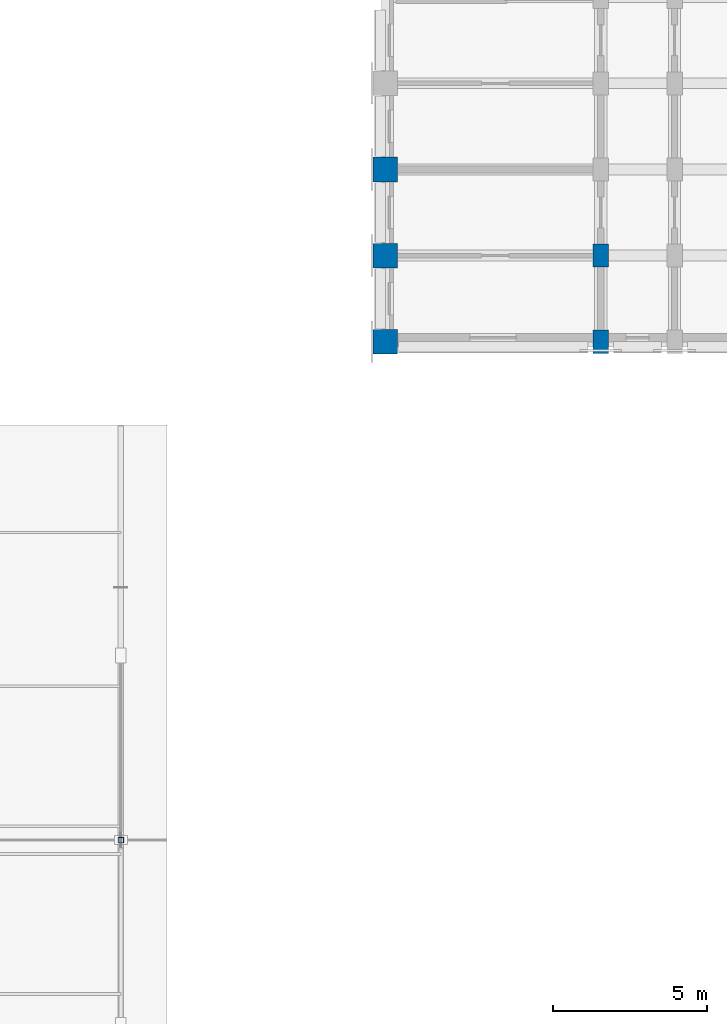
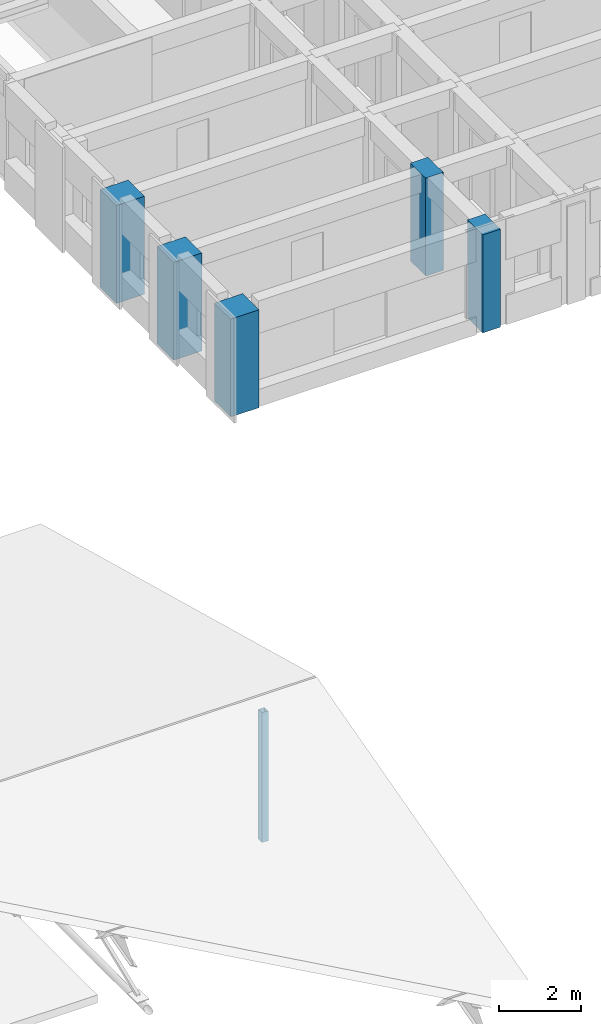
# One storey, part 8 of 76: 6 columns.
"""IFC4 building model written with IfcOpenShell, lengths in metres."""

from ifc_helpers import new_model, si_unit, direction, frame, origin, origin_2d, place, context, subcontext, project, spatial, rectangle, hollow_rectangle, extrude, material, material_profile, profile_set, type_object, element, save


model = new_model("IFC4")

# Units and contexts
model_context = context("Model", 3, precision=1e-05, world=origin(), true_north=direction((0.0, 1.0)))
body_context = subcontext(model_context, "Body", "Model", "MODEL_VIEW")
ifc_project = project(units=[si_unit("LENGTHUNIT", "METRE"), si_unit("AREAUNIT", "SQUARE_METRE"), si_unit("VOLUMEUNIT", "CUBIC_METRE"), si_unit("PLANEANGLEUNIT", "RADIAN"), si_unit("MASSUNIT", "GRAM", prefix="KILO")], contexts=[model_context])

# Site, building, storey
site_placement = place(None, origin())
site = spatial("IfcSite", under=ifc_project, at=site_placement, CompositionType="ELEMENT")
building_placement = place(site_placement, origin())
building = spatial("IfcBuilding", under=site, at=building_placement, Name="Kiranvali Square Residences", CompositionType="ELEMENT")
storey_placement = place(building_placement, frame((0.0, 0.0, 8.699951171875)))
storey = spatial("IfcBuildingStorey", under=building, at=storey_placement, Name="L02", CompositionType="ELEMENT", Elevation=8.699951171875)

# Columns
ifc_material_1 = material(Name="Concrete M45 (45 MPa)", Category="concrete")
ifc_material_profile_1 = material_profile(ifc_material_1, rectangle(XDim=0.5, YDim=0.75, at=origin_2d()), Name="RC 750x500")
ifc_profile_set_1 = profile_set([ifc_material_profile_1], Name="Concrete M45 (45 MPa)")
column_type_1 = type_object("IfcColumnType", Name="COL-M45-750x500", PredefinedType="COLUMN", material=ifc_profile_set_1)
for number, where, z_axis, x_axis, name in (
    (1, (145.60009765625, 71.0, 0.0), (0.0, 0.0, 1.0), (1.0, 0.0, 0.0), "Block B L02 Arm 2 column V4-R1"),
    (2, (145.60009765625, 68.199951171875, 0.0), (0.0, 0.0, 1.0), (1.0, 0.0, 0.0), "Block B L02 Arm 2 column V5-R1"),
):
    element("IfcColumn", number, at=place(storey_placement, frame(where, z_axis=z_axis, x_axis=x_axis)), inside=storey, type_object=column_type_1, Name=name, PredefinedType="COLUMN", context=body_context, shape_type="SweptSolid", body=[
        extrude(rectangle(XDim=0.5, YDim=0.75, at=origin_2d()), origin(), (0.0, 0.0, 1.0), 2.929931640625),
    ])
ifc_material_2 = material(Name="Concrete M50 (50 MPa)", Category="concrete")
ifc_material_profile_2 = material_profile(ifc_material_2, rectangle(XDim=0.800048828125, YDim=0.800048828125, at=origin_2d()), Name="RC 800x800")
ifc_profile_set_2 = profile_set([ifc_material_profile_2], Name="Concrete M50 (50 MPa)")
column_type_2 = type_object("IfcColumnType", Name="COL-M50-800", PredefinedType="COLUMN", material=ifc_profile_set_2)
for number, where, z_axis, x_axis, name in (
    (3, (138.60009765625, 73.800048828125, 0.0), (0.0, 0.0, 1.0), (1.0, 0.0, 0.0), "Block B L02 Arm 2 column V3-R0"),
    (4, (138.60009765625, 71.0, 0.0), (0.0, 0.0, 1.0), (1.0, 0.0, 0.0), "Block B L02 Arm 2 column V4-R0"),
    (5, (138.60009765625, 68.199951171875, 0.0), (0.0, 0.0, 1.0), (1.0, 0.0, 0.0), "Block B L02 Arm 2 column V5-R0"),
):
    element("IfcColumn", number, at=place(storey_placement, frame(where, z_axis=z_axis, x_axis=x_axis)), inside=storey, type_object=column_type_2, Name=name, PredefinedType="COLUMN", context=body_context, shape_type="SweptSolid", body=[
        extrude(rectangle(XDim=0.800048828125, YDim=0.800048828125, at=origin_2d()), origin(), (0.0, 0.0, 1.0), 2.929931640625),
    ])
ifc_material_3 = material(Name="Structural steel E350", Category="steel")
ifc_material_profile_3 = material_profile(ifc_material_3, hollow_rectangle(XDim=0.179931640625, YDim=0.179931640625, WallThickness=0.008056640625, at=origin_2d()), Name="SHS 180x180x8.0")
ifc_profile_set_3 = profile_set([ifc_material_profile_3], Name="Structural steel E350")
column_type_3 = type_object("IfcColumnType", Name="SCOL-SHS180", PredefinedType="COLUMN", material=ifc_profile_set_3)
column_placement = place(storey_placement, frame((130.0, 52.0, -0.199951171875), z_axis=(0.0, 0.0, 1.0), x_axis=(1.0, 0.0, 0.0)))
element("IfcColumn", 6, at=column_placement, inside=storey, type_object=column_type_3, Name="Southeast Square Retail Pavilion ridge king-post 5", PredefinedType="COLUMN", context=body_context, shape_type="SweptSolid", body=[
    extrude(hollow_rectangle(XDim=0.179931640625, YDim=0.179931640625, WallThickness=0.008056640625, at=origin_2d()), origin(), (0.0, 0.0, 1.0), 3.88720703125),
])

save(model, "model.ifc")
